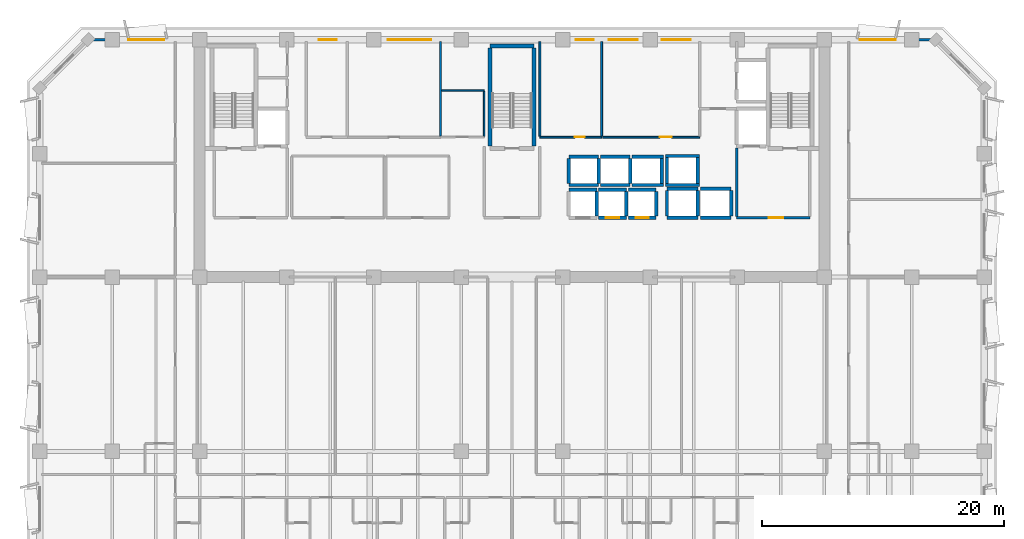
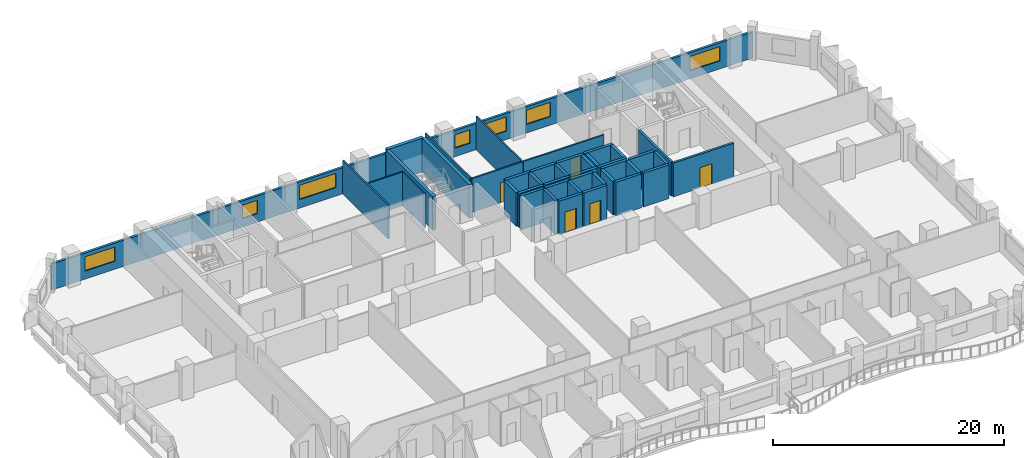
# One storey, part 8 of 15: 42 walls, 7 windows, 5 doors, 12 openings.
"""IFC4 building model written with IfcOpenShell, lengths in metres."""

from ifc_helpers import new_model, si_unit, direction, frame, frame_2d, origin, place, context, subcontext, project, spatial, rectangle, extrude, material, layer, layer_set, type_object, element, fill, save


model = new_model("IFC4")

# Units and contexts
model_context = context("Model", 3, precision=1e-05, world=origin(), true_north=direction((0.0, 1.0)))
body_context = subcontext(model_context, "Body", "Model", "MODEL_VIEW")
ifc_project = project(units=[si_unit("LENGTHUNIT", "METRE"), si_unit("AREAUNIT", "SQUARE_METRE"), si_unit("VOLUMEUNIT", "CUBIC_METRE"), si_unit("PLANEANGLEUNIT", "RADIAN"), si_unit("MASSUNIT", "GRAM", prefix="KILO")], contexts=[model_context])

# Site, building, storey
site_placement = place(None, origin())
site = spatial("IfcSite", under=ifc_project, at=site_placement, CompositionType="ELEMENT")
building_placement = place(site_placement, origin())
building = spatial("IfcBuilding", under=site, at=building_placement, Name="Kaelvorn Grand Hotel", CompositionType="ELEMENT")
storey_placement = place(building_placement, frame((0.0, 0.0, 142.949951171875)))
storey = spatial("IfcBuildingStorey", under=building, at=storey_placement, Name="L34", CompositionType="ELEMENT", Elevation=142.949951171875)

# Wall, openings, windows
ifc_material_1 = material(Name="Concrete C40/50", Category="concrete")
ifc_layer_1 = layer(ifc_material_1, 0.239990234375)
ifc_layer_set_1 = layer_set([ifc_layer_1], Name="Concrete C40/50")
wall_type_1 = type_object("IfcWallType", Name="WL-EXT-240-C40", PredefinedType="SOLIDWALL", material=ifc_layer_set_1)
wall_1_placement = place(storey_placement, frame((77.0, 49.0, 0.0), z_axis=(0.0, 0.0, 1.0), x_axis=(-1.0, 0.0, 0.0)))
wall_1 = element("IfcWall", 1, at=wall_1_placement, inside=storey, type_object=wall_type_1, Name="L34 Exterior Architectural Concrete Wall 05", PredefinedType="SOLIDWALL", context=body_context, shape_type="SweptSolid", body=[
    extrude(rectangle(XDim=70.0, YDim=0.239990234375, at=frame_2d((35.0, 0.0))), origin(), (0.0, 0.0, 1.0), 2.760009765625),
])
opening_1_placement = place(wall_1_placement, frame((63.699951171875, 0.0, 0.85009765625)))
opening_1 = element("IfcOpeningElement", 2, at=opening_1_placement, cuts=wall_1, Name="Opening W5", PredefinedType="OPENING", context=body_context, shape_type="SweptSolid", body=[
    extrude(rectangle(XDim=3.0, YDim=1.5, at=frame_2d((1.5, 0.75))), frame((0.0, 0.1298828125, 0.0), z_axis=(0.0, -1.0, 0.0), x_axis=(1.0, 0.0, 0.0)), (0.0, 0.0, 1.0), 0.260009765625),
])
opening_2_placement = place(wall_1_placement, frame((3.300048828125, 0.0, 0.85009765625)))
opening_2 = element("IfcOpeningElement", 3, at=opening_2_placement, cuts=wall_1, Name="Opening W5", PredefinedType="OPENING", context=body_context, shape_type="SweptSolid", body=[
    extrude(rectangle(XDim=3.0, YDim=1.5, at=frame_2d((1.5, 0.75))), frame((0.0, 0.1298828125, 0.0), z_axis=(0.0, -1.0, 0.0), x_axis=(1.0, 0.0, 0.0)), (0.0, 0.0, 1.0), 0.260009765625),
])
opening_3_placement = place(wall_1_placement, frame((49.465087890625, 0.0, 0.89990234375)))
opening_3 = element("IfcOpeningElement", 4, at=opening_3_placement, cuts=wall_1, Name="Opening W10", PredefinedType="OPENING", context=body_context, shape_type="SweptSolid", body=[
    extrude(rectangle(XDim=1.5, YDim=1.39990234375, at=frame_2d((0.75, 0.699951171875))), frame((0.0, 0.1298828125, 0.0), z_axis=(0.0, -1.0, 0.0), x_axis=(1.0, 0.0, 0.0)), (0.0, 0.0, 1.0), 0.260009765625),
])
opening_4_placement = place(wall_1_placement, frame((41.64990234375, 0.0, 0.89990234375)))
opening_4 = element("IfcOpeningElement", 5, at=opening_4_placement, cuts=wall_1, Name="Opening W3", PredefinedType="OPENING", context=body_context, shape_type="SweptSolid", body=[
    extrude(rectangle(XDim=3.60009765625, YDim=1.5, at=frame_2d((1.800048828125, 0.75))), frame((0.0, 0.1298828125, 0.0), z_axis=(0.0, -1.0, 0.0), x_axis=(1.0, 0.0, 0.0)), (0.0, 0.0, 1.0), 0.260009765625),
])
opening_5_placement = place(wall_1_placement, frame((28.25, 0.0, 0.89990234375)))
opening_5 = element("IfcOpeningElement", 6, at=opening_5_placement, cuts=wall_1, Name="Opening W10", PredefinedType="OPENING", context=body_context, shape_type="SweptSolid", body=[
    extrude(rectangle(XDim=1.5, YDim=1.39990234375, at=frame_2d((0.75, 0.699951171875))), frame((0.0, 0.1298828125, 0.0), z_axis=(0.0, -1.0, 0.0), x_axis=(1.0, 0.0, 0.0)), (0.0, 0.0, 1.0), 0.260009765625),
])
opening_6_placement = place(wall_1_placement, frame((24.60009765625, 0.0, 0.89990234375)))
opening_6 = element("IfcOpeningElement", 7, at=opening_6_placement, cuts=wall_1, Name="Opening W6", PredefinedType="OPENING", context=body_context, shape_type="SweptSolid", body=[
    extrude(rectangle(XDim=2.39990234375, YDim=1.5, at=frame_2d((1.199951171875, 0.75))), frame((0.0, 0.1298828125, 0.0), z_axis=(0.0, -1.0, 0.0), x_axis=(1.0, 0.0, 0.0)), (0.0, 0.0, 1.0), 0.260009765625),
])
opening_7_placement = place(wall_1_placement, frame((20.235107421875, 0.0, 0.89990234375)))
opening_7 = element("IfcOpeningElement", 8, at=opening_7_placement, cuts=wall_1, Name="Opening W6", PredefinedType="OPENING", context=body_context, shape_type="SweptSolid", body=[
    extrude(rectangle(XDim=2.39990234375, YDim=1.5, at=frame_2d((1.199951171875, 0.75))), frame((0.0, 0.1298828125, 0.0), z_axis=(0.0, -1.0, 0.0), x_axis=(1.0, 0.0, 0.0)), (0.0, 0.0, 1.0), 0.260009765625),
])
ifc_material_2 = material(Name="Laminated Low-E Glass", Category="glass")
window_type_1 = type_object("IfcWindowType", Name="WIN-COR-1500x1400", PartitioningType="SINGLE_PANEL", PredefinedType="WINDOW", material=ifc_material_2)
window_1_placement = place(opening_3_placement, origin())
window_1 = element("IfcWindow", 9, at=window_1_placement, inside=storey, type_object=window_type_1, Name="L34 North Core Clerestory Ribbon Window NC03", OverallHeight=1.39990234375, OverallWidth=1.5, PartitioningType="SINGLE_PANEL", PredefinedType="WINDOW", context=body_context, shape_type="SweptSolid", body=[
    extrude(rectangle(XDim=1.5, YDim=1.39990234375, at=frame_2d((0.75, 0.699951171875))), frame((0.0, 0.030029296875, 0.0), z_axis=(0.0, -1.0, 0.0), x_axis=(1.0, 0.0, 0.0)), (0.0, 0.0, 1.0), 0.06005859375),
])
fill(opening_3, window_1)
window_2_placement = place(opening_5_placement, origin())
window_2 = element("IfcWindow", 10, at=window_2_placement, inside=storey, type_object=window_type_1, Name="L34 North Core Clerestory Ribbon Window NC05", OverallHeight=1.39990234375, OverallWidth=1.5, PartitioningType="SINGLE_PANEL", PredefinedType="WINDOW", context=body_context, shape_type="SweptSolid", body=[
    extrude(rectangle(XDim=1.5, YDim=1.39990234375, at=frame_2d((0.75, 0.699951171875))), frame((0.0, 0.030029296875, 0.0), z_axis=(0.0, -1.0, 0.0), x_axis=(1.0, 0.0, 0.0)), (0.0, 0.0, 1.0), 0.06005859375),
])
fill(opening_5, window_2)
window_type_2 = type_object("IfcWindowType", Name="WIN-NTH-2400x1500", PartitioningType="SINGLE_PANEL", PredefinedType="WINDOW", material=ifc_material_2)
window_3_placement = place(opening_6_placement, origin())
window_3 = element("IfcWindow", 11, at=window_3_placement, inside=storey, type_object=window_type_2, Name="L34 North Core Clerestory Ribbon Window NC06", OverallHeight=1.5, OverallWidth=2.39990234375, PartitioningType="SINGLE_PANEL", PredefinedType="WINDOW", context=body_context, shape_type="SweptSolid", body=[
    extrude(rectangle(XDim=2.39990234375, YDim=1.5, at=frame_2d((1.199951171875, 0.75))), frame((0.0, 0.030029296875, 0.0), z_axis=(0.0, -1.0, 0.0), x_axis=(1.0, 0.0, 0.0)), (0.0, 0.0, 1.0), 0.06005859375),
])
fill(opening_6, window_3)
window_4_placement = place(opening_7_placement, origin())
window_4 = element("IfcWindow", 12, at=window_4_placement, inside=storey, type_object=window_type_2, Name="L34 North Core Clerestory Ribbon Window NC07", OverallHeight=1.5, OverallWidth=2.39990234375, PartitioningType="SINGLE_PANEL", PredefinedType="WINDOW", context=body_context, shape_type="SweptSolid", body=[
    extrude(rectangle(XDim=2.39990234375, YDim=1.5, at=frame_2d((1.199951171875, 0.75))), frame((0.0, 0.030029296875, 0.0), z_axis=(0.0, -1.0, 0.0), x_axis=(1.0, 0.0, 0.0)), (0.0, 0.0, 1.0), 0.06005859375),
])
fill(opening_7, window_4)
window_type_3 = type_object("IfcWindowType", Name="WIN-NTH-3000x1500", PartitioningType="SINGLE_PANEL", PredefinedType="WINDOW", material=ifc_material_2)
window_5_placement = place(opening_1_placement, origin())
window_5 = element("IfcWindow", 13, at=window_5_placement, inside=storey, type_object=window_type_3, Name="L34 North Wing Ribbon Window NW01", OverallHeight=1.5, OverallWidth=3.0, PartitioningType="SINGLE_PANEL", PredefinedType="WINDOW", context=body_context, shape_type="SweptSolid", body=[
    extrude(rectangle(XDim=3.0, YDim=1.5, at=frame_2d((1.5, 0.75))), frame((0.0, 0.030029296875, 0.0), z_axis=(0.0, -1.0, 0.0), x_axis=(1.0, 0.0, 0.0)), (0.0, 0.0, 1.0), 0.06005859375),
])
fill(opening_1, window_5)
window_6_placement = place(opening_2_placement, origin())
window_6 = element("IfcWindow", 14, at=window_6_placement, inside=storey, type_object=window_type_3, Name="L34 North Wing Ribbon Window NW02", OverallHeight=1.5, OverallWidth=3.0, PartitioningType="SINGLE_PANEL", PredefinedType="WINDOW", context=body_context, shape_type="SweptSolid", body=[
    extrude(rectangle(XDim=3.0, YDim=1.5, at=frame_2d((1.5, 0.75))), frame((0.0, 0.030029296875, 0.0), z_axis=(0.0, -1.0, 0.0), x_axis=(1.0, 0.0, 0.0)), (0.0, 0.0, 1.0), 0.06005859375),
])
fill(opening_2, window_6)
window_type_4 = type_object("IfcWindowType", Name="WIN-RIB-3600x1750", PartitioningType="SINGLE_PANEL", PredefinedType="WINDOW", material=ifc_material_2)
window_7_placement = place(opening_4_placement, origin())
window_7 = element("IfcWindow", 15, at=window_7_placement, inside=storey, type_object=window_type_4, Name="L34 North Core Clerestory Ribbon Window NC04", OverallHeight=1.5, OverallWidth=3.60009765625, PartitioningType="SINGLE_PANEL", PredefinedType="WINDOW", context=body_context, shape_type="SweptSolid", body=[
    extrude(rectangle(XDim=3.60009765625, YDim=1.5, at=frame_2d((1.800048828125, 0.75))), frame((0.0, 0.030029296875, 0.0), z_axis=(0.0, -1.0, 0.0), x_axis=(1.0, 0.0, 0.0)), (0.0, 0.0, 1.0), 0.06005859375),
])
fill(opening_4, window_7)

# Walls
ifc_material_3 = material(Name="Moisture-Resistant Tile & Stud Board")
ifc_layer_2 = layer(ifc_material_3, 0.125)
ifc_layer_set_2 = layer_set([ifc_layer_2], Name="Moisture-Resistant Tile & Stud Board")
wall_type_2 = type_object("IfcWallType", Name="WL-PART-125-WET", PredefinedType="PARTITIONING", material=ifc_layer_set_2)
wall_2_placement = place(storey_placement, frame((36.179931640625, 44.800048828125, 0.0), z_axis=(0.0, 0.0, 1.0), x_axis=(1.0, 0.0, 0.0)))
element("IfcWall", 16, at=wall_2_placement, inside=storey, type_object=wall_type_2, Name="L34 Accessible WC N Partition", PredefinedType="PARTITIONING", context=body_context, shape_type="SweptSolid", body=[
    extrude(rectangle(XDim=3.52001953125, YDim=0.125, at=frame_2d((1.760009765625, 0.0))), origin(), (0.0, 0.0, 1.0), 3.56005859375),
])
wall_3_placement = place(storey_placement, frame((39.699951171875, 41.017578125, 0.0), z_axis=(0.0, 0.0, 1.0), x_axis=(0.0, 1.0, 0.0)))
element("IfcWall", 17, at=wall_3_placement, inside=storey, type_object=wall_type_2, Name="L34 Accessible WC E Partition", PredefinedType="PARTITIONING", context=body_context, shape_type="SweptSolid", body=[
    extrude(rectangle(XDim=3.71484375, YDim=0.125, at=frame_2d((1.857421875, 0.0))), origin(), (0.0, 0.0, 1.0), 3.56005859375),
])
ifc_material_4 = material(Name="Acoustic Gypsum & Stud Partition")
ifc_layer_3 = layer(ifc_material_4, 0.14990234375)
ifc_layer_set_3 = layer_set([ifc_layer_3], Name="Acoustic Gypsum & Stud Partition")
wall_type_3 = type_object("IfcWallType", Name="WL-PART-150-EI60", PredefinedType="PARTITIONING", material=ifc_layer_set_3)
wall_4_placement = place(storey_placement, frame((36.10009765625, 41.030029296875, 0.0), z_axis=(0.0, 0.0, 1.0), x_axis=(0.0, 1.0, 0.0)))
element("IfcWall", 18, at=wall_4_placement, inside=storey, type_object=wall_type_3, Name="L34 Housekeeping & Linen Room E Partition", PredefinedType="PARTITIONING", context=body_context, shape_type="SweptSolid", body=[
    extrude(rectangle(XDim=7.820068359375, YDim=0.14990234375, at=frame_2d((3.91015625, 0.0))), origin(), (0.0, 0.0, 1.0), 3.56005859375),
])

# Wall, opening, door
wall_5_placement = place(storey_placement, frame((44.300048828125, 40.949951171875, 0.0), z_axis=(0.0, 0.0, 1.0), x_axis=(1.0, 0.0, 0.0)))
wall_5 = element("IfcWall", 19, at=wall_5_placement, inside=storey, type_object=wall_type_3, Name="L34 Laundry Chute Vestibule S Partition", PredefinedType="PARTITIONING", context=body_context, shape_type="SweptSolid", body=[
    extrude(rectangle(XDim=5.099853515625, YDim=0.14990234375, at=frame_2d((2.5498046875, 0.0))), origin(), (0.0, 0.0, 1.0), 3.56005859375),
])
opening_8_placement = place(wall_5_placement, frame((2.875, 0.0, 0.0)))
opening_8 = element("IfcOpeningElement", 20, at=opening_8_placement, cuts=wall_5, Name="Opening DI7", PredefinedType="OPENING", context=body_context, shape_type="SweptSolid", body=[
    extrude(rectangle(XDim=0.85009765625, YDim=2.10009765625, at=frame_2d((0.425048828125, 1.050048828125))), frame((0.0, 0.0849609375, 0.0), z_axis=(0.0, -1.0, 0.0), x_axis=(1.0, 0.0, 0.0)), (0.0, 0.0, 1.0), 0.169921875),
])
ifc_material_5 = material(Name="Powder-Coated Steel Leaf", Category="steel")
door_type_1 = type_object("IfcDoorType", Name="DR-INT-RISER-850x2100", OperationType="NOTDEFINED", PredefinedType="DOOR", material=ifc_material_5)
door_1_placement = place(opening_8_placement, origin())
door_1 = element("IfcDoor", 21, at=door_1_placement, inside=storey, type_object=door_type_1, Name="L34 Laundry Chute Vestibule Door", OperationType="SINGLE_SWING_LEFT", OverallHeight=2.10009765625, OverallWidth=0.85009765625, PredefinedType="DOOR", context=body_context, shape_type="SweptSolid", body=[
    extrude(rectangle(XDim=0.85009765625, YDim=2.10009765625, at=frame_2d((0.425048828125, 1.050048828125))), frame((0.0, 0.02490234375, 0.0), z_axis=(0.0, -1.0, 0.0), x_axis=(1.0, 0.0, 0.0)), (0.0, 0.0, 1.0), 0.050048828125),
])
fill(opening_8, door_1)

# Walls
for number, where, z_axis, x_axis, name in (
    (22, (44.300048828125, 41.030029296875, 0.0), (0.0, 0.0, 1.0), (0.0, 1.0, 0.0), "L34 Laundry Chute Vestibule W Partition"),
    (23, (49.39990234375, 41.030029296875, 0.0), (0.0, 0.0, 1.0), (0.0, 1.0, 0.0), "L34 Laundry Chute Vestibule E Partition"),
):
    element("IfcWall", number, at=place(storey_placement, frame(where, z_axis=z_axis, x_axis=x_axis)), inside=storey, type_object=wall_type_3, Name=name, PredefinedType="PARTITIONING", context=body_context, shape_type="SweptSolid", body=[
        extrude(rectangle(XDim=7.820068359375, YDim=0.14990234375, at=frame_2d((3.91015625, 0.0))), origin(), (0.0, 0.0, 1.0), 3.56005859375),
    ])

# Wall, opening, door
wall_6_placement = place(storey_placement, frame((49.47998046875, 40.949951171875, 0.0), z_axis=(0.0, 0.0, 1.0), x_axis=(1.0, 0.0, 0.0)))
wall_6 = element("IfcWall", 24, at=wall_6_placement, inside=storey, type_object=wall_type_3, Name="L34 Butler Servery Pantry S Partition", PredefinedType="PARTITIONING", context=body_context, shape_type="SweptSolid", body=[
    extrude(rectangle(XDim=8.02001953125, YDim=0.14990234375, at=frame_2d((4.010009765625, 0.0))), origin(), (0.0, 0.0, 1.0), 3.56005859375),
])
opening_9_placement = place(wall_6_placement, frame((4.719970703125, 0.0, 0.0)))
opening_9 = element("IfcOpeningElement", 25, at=opening_9_placement, cuts=wall_6, Name="Opening DI3", PredefinedType="OPENING", context=body_context, shape_type="SweptSolid", body=[
    extrude(rectangle(XDim=1.0, YDim=2.14990234375, at=frame_2d((0.5, 1.074951171875))), frame((0.0, 0.0849609375, 0.0), z_axis=(0.0, -1.0, 0.0), x_axis=(1.0, 0.0, 0.0)), (0.0, 0.0, 1.0), 0.169921875),
])
ifc_material_6 = material(Name="Timber Veneer Fire Leaf", Category="wood")
door_type_2 = type_object("IfcDoorType", Name="DR-INT-GUEST-1000x2150", OperationType="NOTDEFINED", PredefinedType="DOOR", material=ifc_material_6)
door_2_placement = place(opening_9_placement, origin())
door_2 = element("IfcDoor", 26, at=door_2_placement, inside=storey, type_object=door_type_2, Name="L34 Butler Servery Pantry Door", OperationType="SINGLE_SWING_RIGHT", OverallHeight=2.14990234375, OverallWidth=1.0, PredefinedType="DOOR", context=body_context, shape_type="SweptSolid", body=[
    extrude(rectangle(XDim=1.0, YDim=2.14990234375, at=frame_2d((0.5, 1.074951171875))), frame((0.0, 0.02490234375, 0.0), z_axis=(0.0, -1.0, 0.0), x_axis=(1.0, 0.0, 0.0)), (0.0, 0.0, 1.0), 0.050048828125),
])
fill(opening_9, door_2)

ifc_layer_4 = layer(ifc_material_1, 0.219970703125)
ifc_layer_set_4 = layer_set([ifc_layer_4], Name="Concrete C40/50")
wall_type_4 = type_object("IfcWallType", Name="WL-PART-220-EI120", PredefinedType="PARTITIONING", material=ifc_layer_set_4)
wall_7_placement = place(storey_placement, frame((60.550048828125, 34.300048828125, 0.0), z_axis=(0.0, 0.0, 1.0), x_axis=(1.0, 0.0, 0.0)))
wall_7 = element("IfcWall", 27, at=wall_7_placement, inside=storey, type_object=wall_type_4, Name="L34 Firefighting Lift Lobby 2 S Partition", PredefinedType="PARTITIONING", context=body_context, shape_type="SweptSolid", body=[
    extrude(rectangle(XDim=6.050048828125, YDim=0.219970703125, at=frame_2d((3.02490234375, 0.0))), origin(), (0.0, 0.0, 1.0), 3.56005859375),
])
opening_10_placement = place(wall_7_placement, frame((2.64990234375, 0.0, 0.0)))
opening_10 = element("IfcOpeningElement", 28, at=opening_10_placement, cuts=wall_7, Name="Opening DI2", PredefinedType="OPENING", context=body_context, shape_type="SweptSolid", body=[
    extrude(rectangle(XDim=1.199951171875, YDim=2.14990234375, at=frame_2d((0.60009765625, 1.074951171875))), frame((0.0, 0.1201171875, 0.0), z_axis=(0.0, -1.0, 0.0), x_axis=(1.0, 0.0, 0.0)), (0.0, 0.0, 1.0), 0.239990234375),
])
door_type_3 = type_object("IfcDoorType", Name="DR-INT-FFLOB-1200x2150", OperationType="NOTDEFINED", PredefinedType="DOOR", material=ifc_material_6)
door_3_placement = place(opening_10_placement, origin())
door_3 = element("IfcDoor", 29, at=door_3_placement, inside=storey, type_object=door_type_3, Name="L34 Firefighting Lift Lobby 2 Door", OperationType="SINGLE_SWING_LEFT", OverallHeight=2.14990234375, OverallWidth=1.199951171875, PredefinedType="DOOR", context=body_context, shape_type="SweptSolid", body=[
    extrude(rectangle(XDim=1.199951171875, YDim=2.14990234375, at=frame_2d((0.60009765625, 1.074951171875))), frame((0.0, 0.02490234375, 0.0), z_axis=(0.0, -1.0, 0.0), x_axis=(1.0, 0.0, 0.0)), (0.0, 0.0, 1.0), 0.050048828125),
])
fill(opening_10, door_3)

# Walls
wall_8_placement = place(storey_placement, frame((60.550048828125, 34.4150390625, 0.0), z_axis=(0.0, 0.0, 1.0), x_axis=(0.0, 1.0, 0.0)))
element("IfcWall", 30, at=wall_8_placement, inside=storey, type_object=wall_type_4, Name="L34 Firefighting Lift Lobby 2 W Partition", PredefinedType="PARTITIONING", context=body_context, shape_type="SweptSolid", body=[
    extrude(rectangle(XDim=5.639892578125, YDim=0.219970703125, at=frame_2d((2.81982421875, 0.0))), origin(), (0.0, 0.0, 1.0), 3.56005859375),
])
ifc_material_7 = material(Name="Concrete C50/60", Category="concrete")
ifc_layer_5 = layer(ifc_material_7, 0.280029296875)
ifc_layer_set_5 = layer_set([ifc_layer_5], Name="Concrete C50/60")
wall_type_5 = type_object("IfcWallType", Name="WL-SHAFT-280-C50", PredefinedType="SHEAR", material=ifc_layer_set_5)
wall_9_placement = place(storey_placement, frame((46.699951171875, 36.60009765625, 0.0), z_axis=(0.0, 0.0, 1.0), x_axis=(1.0, 0.0, 0.0)))
element("IfcWall", 31, at=wall_9_placement, inside=storey, type_object=wall_type_5, Name="L34 Lift PL-M1 Shaft North Wall", PredefinedType="SHEAR", context=body_context, shape_type="SweptSolid", body=[
    extrude(rectangle(XDim=2.300048828125, YDim=0.280029296875, at=frame_2d((1.14990234375, 0.0))), origin(), (0.0, 0.0, 1.0), 3.56005859375),
])
wall_10_placement = place(storey_placement, frame((49.0, 34.445068359375, 0.0), z_axis=(0.0, 0.0, 1.0), x_axis=(0.0, 1.0, 0.0)))
element("IfcWall", 32, at=wall_10_placement, inside=storey, type_object=wall_type_5, Name="L34 Lift PL-M1 Shaft East Wall", PredefinedType="SHEAR", context=body_context, shape_type="SweptSolid", body=[
    extrude(rectangle(XDim=2.010009765625, YDim=0.280029296875, at=frame_2d((1.0048828125, 0.0))), origin(), (0.0, 0.0, 1.0), 3.56005859375),
])

# Wall, opening, door
wall_11_placement = place(storey_placement, frame((49.14990234375, 34.300048828125, 0.0), z_axis=(0.0, 0.0, 1.0), x_axis=(1.0, 0.0, 0.0)))
wall_11 = element("IfcWall", 33, at=wall_11_placement, inside=storey, type_object=wall_type_5, Name="L34 Lift PL-M2 Shaft South Wall", PredefinedType="SHEAR", context=body_context, shape_type="SweptSolid", body=[
    extrude(rectangle(XDim=2.300048828125, YDim=0.280029296875, at=frame_2d((1.14990234375, 0.0))), origin(), (0.0, 0.0, 1.0), 3.56005859375),
])
opening_11_placement = place(wall_11_placement, frame((0.60009765625, 0.0, 0.0)))
opening_11 = element("IfcOpeningElement", 34, at=opening_11_placement, cuts=wall_11, Name="Opening LD-PL-M2", PredefinedType="OPENING", context=body_context, shape_type="SweptSolid", body=[
    extrude(rectangle(XDim=1.10009765625, YDim=2.199951171875, at=frame_2d((0.550048828125, 1.10009765625))), frame((0.0, 0.14990234375, 0.0), z_axis=(0.0, -1.0, 0.0), x_axis=(1.0, 0.0, 0.0)), (0.0, 0.0, 1.0), 0.300048828125),
])
ifc_material_8 = material(Name="Stainless Steel", Category="steel")
door_type_4 = type_object("IfcDoorType", Name="DR-LIFT-PASS-1100x2200", OperationType="DOUBLE_DOOR_SLIDING", PredefinedType="DOOR", material=ifc_material_8)
door_4_placement = place(opening_11_placement, origin())
door_4 = element("IfcDoor", 35, at=door_4_placement, inside=storey, type_object=door_type_4, Name="L34 Lift PL-M2 Sliding Landing Door LD-PL-M2", OperationType="DOUBLE_DOOR_SLIDING", OverallHeight=2.199951171875, OverallWidth=1.10009765625, PredefinedType="DOOR", context=body_context, shape_type="SweptSolid", body=[
    extrude(rectangle(XDim=1.10009765625, YDim=2.199951171875, at=frame_2d((0.550048828125, 1.10009765625))), frame((0.0, 0.02490234375, 0.0), z_axis=(0.0, -1.0, 0.0), x_axis=(1.0, 0.0, 0.0)), (0.0, 0.0, 1.0), 0.050048828125),
])
fill(opening_11, door_4)

# Walls
wall_12_placement = place(storey_placement, frame((49.14990234375, 36.60009765625, 0.0), z_axis=(0.0, 0.0, 1.0), x_axis=(1.0, 0.0, 0.0)))
element("IfcWall", 36, at=wall_12_placement, inside=storey, type_object=wall_type_5, Name="L34 Lift PL-M2 Shaft North Wall", PredefinedType="SHEAR", context=body_context, shape_type="SweptSolid", body=[
    extrude(rectangle(XDim=2.300048828125, YDim=0.280029296875, at=frame_2d((1.14990234375, 0.0))), origin(), (0.0, 0.0, 1.0), 3.56005859375),
])
wall_13_placement = place(storey_placement, frame((51.449951171875, 34.445068359375, 0.0), z_axis=(0.0, 0.0, 1.0), x_axis=(0.0, 1.0, 0.0)))
element("IfcWall", 37, at=wall_13_placement, inside=storey, type_object=wall_type_5, Name="L34 Lift PL-M2 Shaft East Wall", PredefinedType="SHEAR", context=body_context, shape_type="SweptSolid", body=[
    extrude(rectangle(XDim=2.010009765625, YDim=0.280029296875, at=frame_2d((1.0048828125, 0.0))), origin(), (0.0, 0.0, 1.0), 3.56005859375),
])

# Wall, opening, door
wall_14_placement = place(storey_placement, frame((51.60009765625, 34.300048828125, 0.0), z_axis=(0.0, 0.0, 1.0), x_axis=(1.0, 0.0, 0.0)))
wall_14 = element("IfcWall", 38, at=wall_14_placement, inside=storey, type_object=wall_type_5, Name="L34 Lift PL-M3 Shaft South Wall", PredefinedType="SHEAR", context=body_context, shape_type="SweptSolid", body=[
    extrude(rectangle(XDim=2.2998046875, YDim=0.280029296875, at=frame_2d((1.14990234375, 0.0))), origin(), (0.0, 0.0, 1.0), 3.56005859375),
])
opening_12_placement = place(wall_14_placement, frame((0.60009765625, 0.0, 0.0)))
opening_12 = element("IfcOpeningElement", 39, at=opening_12_placement, cuts=wall_14, Name="Opening LD-PL-M3", PredefinedType="OPENING", context=body_context, shape_type="SweptSolid", body=[
    extrude(rectangle(XDim=1.10009765625, YDim=2.199951171875, at=frame_2d((0.550048828125, 1.10009765625))), frame((0.0, 0.14990234375, 0.0), z_axis=(0.0, -1.0, 0.0), x_axis=(1.0, 0.0, 0.0)), (0.0, 0.0, 1.0), 0.300048828125),
])
door_5_placement = place(opening_12_placement, origin())
door_5 = element("IfcDoor", 40, at=door_5_placement, inside=storey, type_object=door_type_4, Name="L34 Lift PL-M3 Sliding Landing Door LD-PL-M3", OperationType="DOUBLE_DOOR_SLIDING", OverallHeight=2.199951171875, OverallWidth=1.10009765625, PredefinedType="DOOR", context=body_context, shape_type="SweptSolid", body=[
    extrude(rectangle(XDim=1.10009765625, YDim=2.199951171875, at=frame_2d((0.550048828125, 1.10009765625))), frame((0.0, 0.02490234375, 0.0), z_axis=(0.0, -1.0, 0.0), x_axis=(1.0, 0.0, 0.0)), (0.0, 0.0, 1.0), 0.050048828125),
])
fill(opening_12, door_5)

# Walls
wall_15_placement = place(storey_placement, frame((51.60009765625, 36.60009765625, 0.0), z_axis=(0.0, 0.0, 1.0), x_axis=(1.0, 0.0, 0.0)))
element("IfcWall", 41, at=wall_15_placement, inside=storey, type_object=wall_type_5, Name="L34 Lift PL-M3 Shaft North Wall", PredefinedType="SHEAR", context=body_context, shape_type="SweptSolid", body=[
    extrude(rectangle(XDim=2.2998046875, YDim=0.280029296875, at=frame_2d((1.14990234375, 0.0))), origin(), (0.0, 0.0, 1.0), 3.56005859375),
])
wall_16_placement = place(storey_placement, frame((53.89990234375, 34.445068359375, 0.0), z_axis=(0.0, 0.0, 1.0), x_axis=(0.0, 1.0, 0.0)))
element("IfcWall", 42, at=wall_16_placement, inside=storey, type_object=wall_type_5, Name="L34 Lift PL-M3 Shaft East Wall", PredefinedType="SHEAR", context=body_context, shape_type="SweptSolid", body=[
    extrude(rectangle(XDim=2.010009765625, YDim=0.280029296875, at=frame_2d((1.0048828125, 0.0))), origin(), (0.0, 0.0, 1.0), 3.56005859375),
])
for number, where, z_axis, x_axis, name in (
    (43, (46.699951171875, 37.0, 0.0), (0.0, 0.0, 1.0), (1.0, 0.0, 0.0), "L34 Lift SL-1 Shaft South Wall"),
    (44, (46.699951171875, 39.35009765625, 0.0), (0.0, 0.0, 1.0), (1.0, 0.0, 0.0), "L34 Lift SL-1 Shaft North Wall"),
):
    element("IfcWall", number, at=place(storey_placement, frame(where, z_axis=z_axis, x_axis=x_axis)), inside=storey, type_object=wall_type_5, Name=name, PredefinedType="SHEAR", context=body_context, shape_type="SweptSolid", body=[
        extrude(rectangle(XDim=2.449951171875, YDim=0.280029296875, at=frame_2d((1.22509765625, 0.0))), origin(), (0.0, 0.0, 1.0), 3.56005859375),
    ])
for number, where, z_axis, x_axis, name in (
    (45, (46.699951171875, 37.14501953125, 0.0), (0.0, 0.0, 1.0), (0.0, 1.0, 0.0), "L34 Lift SL-1 Shaft West Wall"),
    (46, (49.14990234375, 37.14501953125, 0.0), (0.0, 0.0, 1.0), (0.0, 1.0, 0.0), "L34 Lift SL-1 Shaft East Wall"),
):
    element("IfcWall", number, at=place(storey_placement, frame(where, z_axis=z_axis, x_axis=x_axis)), inside=storey, type_object=wall_type_5, Name=name, PredefinedType="SHEAR", context=body_context, shape_type="SweptSolid", body=[
        extrude(rectangle(XDim=2.06005859375, YDim=0.280029296875, at=frame_2d((1.030029296875, 0.0))), origin(), (0.0, 0.0, 1.0), 3.56005859375),
    ])
for number, where, z_axis, x_axis, name in (
    (47, (49.300048828125, 37.0, 0.0), (0.0, 0.0, 1.0), (1.0, 0.0, 0.0), "L34 Lift SL-2 Shaft South Wall"),
    (48, (49.300048828125, 39.35009765625, 0.0), (0.0, 0.0, 1.0), (1.0, 0.0, 0.0), "L34 Lift SL-2 Shaft North Wall"),
):
    element("IfcWall", number, at=place(storey_placement, frame(where, z_axis=z_axis, x_axis=x_axis)), inside=storey, type_object=wall_type_5, Name=name, PredefinedType="SHEAR", context=body_context, shape_type="SweptSolid", body=[
        extrude(rectangle(XDim=2.449951171875, YDim=0.280029296875, at=frame_2d((1.22509765625, 0.0))), origin(), (0.0, 0.0, 1.0), 3.56005859375),
    ])
wall_17_placement = place(storey_placement, frame((51.75, 37.14501953125, 0.0), z_axis=(0.0, 0.0, 1.0), x_axis=(0.0, 1.0, 0.0)))
element("IfcWall", 49, at=wall_17_placement, inside=storey, type_object=wall_type_5, Name="L34 Lift SL-2 Shaft East Wall", PredefinedType="SHEAR", context=body_context, shape_type="SweptSolid", body=[
    extrude(rectangle(XDim=2.06005859375, YDim=0.280029296875, at=frame_2d((1.030029296875, 0.0))), origin(), (0.0, 0.0, 1.0), 3.56005859375),
])
for number, where, z_axis, x_axis, name in (
    (50, (51.89990234375, 37.0, 0.0), (0.0, 0.0, 1.0), (1.0, 0.0, 0.0), "L34 Lift SL-3 Shaft South Wall"),
    (51, (51.89990234375, 39.35009765625, 0.0), (0.0, 0.0, 1.0), (1.0, 0.0, 0.0), "L34 Lift SL-3 Shaft North Wall"),
):
    element("IfcWall", number, at=place(storey_placement, frame(where, z_axis=z_axis, x_axis=x_axis)), inside=storey, type_object=wall_type_5, Name=name, PredefinedType="SHEAR", context=body_context, shape_type="SweptSolid", body=[
        extrude(rectangle(XDim=2.590087890625, YDim=0.280029296875, at=frame_2d((1.294921875, 0.0))), origin(), (0.0, 0.0, 1.0), 3.56005859375),
    ])
wall_18_placement = place(storey_placement, frame((54.35009765625, 37.14501953125, 0.0), z_axis=(0.0, 0.0, 1.0), x_axis=(0.0, 1.0, 0.0)))
element("IfcWall", 52, at=wall_18_placement, inside=storey, type_object=wall_type_5, Name="L34 Lift SL-3 Shaft East Wall", PredefinedType="SHEAR", context=body_context, shape_type="SweptSolid", body=[
    extrude(rectangle(XDim=2.06005859375, YDim=0.280029296875, at=frame_2d((1.030029296875, 0.0))), origin(), (0.0, 0.0, 1.0), 3.56005859375),
])
for number, where, z_axis, x_axis, name in (
    (53, (54.800048828125, 34.300048828125, 0.0), (0.0, 0.0, 1.0), (1.0, 0.0, 0.0), "L34 Lift OL-1 Shaft South Wall"),
    (54, (54.800048828125, 36.699951171875, 0.0), (0.0, 0.0, 1.0), (1.0, 0.0, 0.0), "L34 Lift OL-1 Shaft North Wall"),
):
    element("IfcWall", number, at=place(storey_placement, frame(where, z_axis=z_axis, x_axis=x_axis)), inside=storey, type_object=wall_type_5, Name=name, PredefinedType="SHEAR", context=body_context, shape_type="SweptSolid", body=[
        extrude(rectangle(XDim=2.550048828125, YDim=0.280029296875, at=frame_2d((1.27490234375, 0.0))), origin(), (0.0, 0.0, 1.0), 3.56005859375),
    ])
for number, where, z_axis, x_axis, name in (
    (55, (54.800048828125, 34.445068359375, 0.0), (0.0, 0.0, 1.0), (0.0, 1.0, 0.0), "L34 Lift OL-1 Shaft West Wall"),
    (56, (57.35009765625, 34.445068359375, 0.0), (0.0, 0.0, 1.0), (0.0, 1.0, 0.0), "L34 Lift OL-1 Shaft East Wall"),
):
    element("IfcWall", number, at=place(storey_placement, frame(where, z_axis=z_axis, x_axis=x_axis)), inside=storey, type_object=wall_type_5, Name=name, PredefinedType="SHEAR", context=body_context, shape_type="SweptSolid", body=[
        extrude(rectangle(XDim=2.10986328125, YDim=0.280029296875, at=frame_2d((1.054931640625, 0.0))), origin(), (0.0, 0.0, 1.0), 3.56005859375),
    ])
for number, where, z_axis, x_axis, name in (
    (57, (57.550048828125, 34.300048828125, 0.0), (0.0, 0.0, 1.0), (1.0, 0.0, 0.0), "L34 Lift OL-2 Shaft South Wall"),
    (58, (57.550048828125, 36.699951171875, 0.0), (0.0, 0.0, 1.0), (1.0, 0.0, 0.0), "L34 Lift OL-2 Shaft North Wall"),
):
    element("IfcWall", number, at=place(storey_placement, frame(where, z_axis=z_axis, x_axis=x_axis)), inside=storey, type_object=wall_type_5, Name=name, PredefinedType="SHEAR", context=body_context, shape_type="SweptSolid", body=[
        extrude(rectangle(XDim=2.550048828125, YDim=0.280029296875, at=frame_2d((1.27490234375, 0.0))), origin(), (0.0, 0.0, 1.0), 3.56005859375),
    ])
wall_19_placement = place(storey_placement, frame((60.10009765625, 34.445068359375, 0.0), z_axis=(0.0, 0.0, 1.0), x_axis=(0.0, 1.0, 0.0)))
element("IfcWall", 59, at=wall_19_placement, inside=storey, type_object=wall_type_5, Name="L34 Lift OL-2 Shaft East Wall", PredefinedType="SHEAR", context=body_context, shape_type="SweptSolid", body=[
    extrude(rectangle(XDim=2.10986328125, YDim=0.280029296875, at=frame_2d((1.054931640625, 0.0))), origin(), (0.0, 0.0, 1.0), 3.56005859375),
])
for number, where, z_axis, x_axis, name in (
    (60, (54.659912109375, 37.0, 0.0), (0.0, 0.0, 1.0), (1.0, 0.0, 0.0), "L34 Lift OL-3 Shaft South Wall"),
    (61, (54.659912109375, 39.39990234375, 0.0), (0.0, 0.0, 1.0), (1.0, 0.0, 0.0), "L34 Lift OL-3 Shaft North Wall"),
):
    element("IfcWall", number, at=place(storey_placement, frame(where, z_axis=z_axis, x_axis=x_axis)), inside=storey, type_object=wall_type_5, Name=name, PredefinedType="SHEAR", context=body_context, shape_type="SweptSolid", body=[
        extrude(rectangle(XDim=2.830078125, YDim=0.280029296875, at=frame_2d((1.4150390625, 0.0))), origin(), (0.0, 0.0, 1.0), 3.56005859375),
    ])
for number, where, z_axis, x_axis, name in (
    (62, (54.800048828125, 37.14501953125, 0.0), (0.0, 0.0, 1.0), (0.0, 1.0, 0.0), "L34 Lift OL-3 Shaft West Wall"),
    (63, (57.35009765625, 37.14501953125, 0.0), (0.0, 0.0, 1.0), (0.0, 1.0, 0.0), "L34 Lift OL-3 Shaft East Wall"),
):
    element("IfcWall", number, at=place(storey_placement, frame(where, z_axis=z_axis, x_axis=x_axis)), inside=storey, type_object=wall_type_5, Name=name, PredefinedType="SHEAR", context=body_context, shape_type="SweptSolid", body=[
        extrude(rectangle(XDim=2.10986328125, YDim=0.280029296875, at=frame_2d((1.054931640625, 0.0))), origin(), (0.0, 0.0, 1.0), 3.56005859375),
    ])
ifc_material_9 = material(Name="Concrete C60/75", Category="concrete")
ifc_layer_6 = layer(ifc_material_9, 0.35009765625)
ifc_layer_set_6 = layer_set([ifc_layer_6], Name="Concrete C60/75")
wall_type_6 = type_object("IfcWallType", Name="WL-SHAFT-350-C60", PredefinedType="SHEAR", material=ifc_layer_set_6)
wall_20_placement = place(storey_placement, frame((40.18505859375, 48.47509765625, 0.0), z_axis=(0.0, 0.0, 1.0), x_axis=(1.0, 0.0, 0.0)))
element("IfcWall", 64, at=wall_20_placement, inside=storey, type_object=wall_type_6, Name="L34 ST2 Stair Shaft North Wall", PredefinedType="SHEAR", context=body_context, shape_type="SweptSolid", body=[
    extrude(rectangle(XDim=3.6298828125, YDim=0.35009765625, at=frame_2d((1.81494140625, 0.0))), origin(), (0.0, 0.0, 1.0), 3.56005859375),
])
for number, where, z_axis, x_axis, name in (
    (65, (40.18505859375, 40.205078125, 0.0), (0.0, 0.0, 1.0), (0.0, 1.0, 0.0), "L34 ST2 Stair Shaft West Wall"),
    (66, (43.81494140625, 40.205078125, 0.0), (0.0, 0.0, 1.0), (0.0, 1.0, 0.0), "L34 ST2 Stair Shaft East Wall"),
):
    element("IfcWall", number, at=place(storey_placement, frame(where, z_axis=z_axis, x_axis=x_axis)), inside=storey, type_object=wall_type_6, Name=name, PredefinedType="SHEAR", context=body_context, shape_type="SweptSolid", body=[
        extrude(rectangle(XDim=8.08984375, YDim=0.35009765625, at=frame_2d((4.044921875, 0.0))), origin(), (0.0, 0.0, 1.0), 3.56005859375),
    ])

save(model, "model.ifc")
